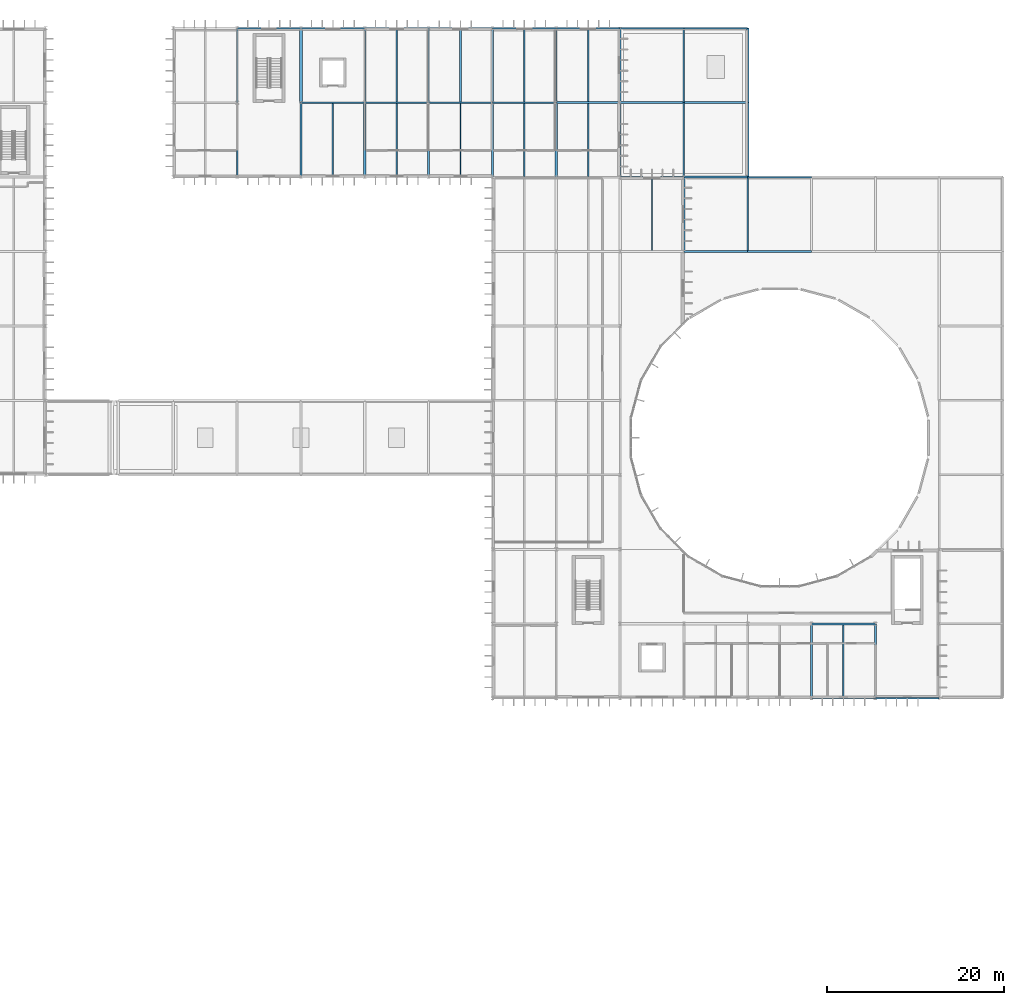
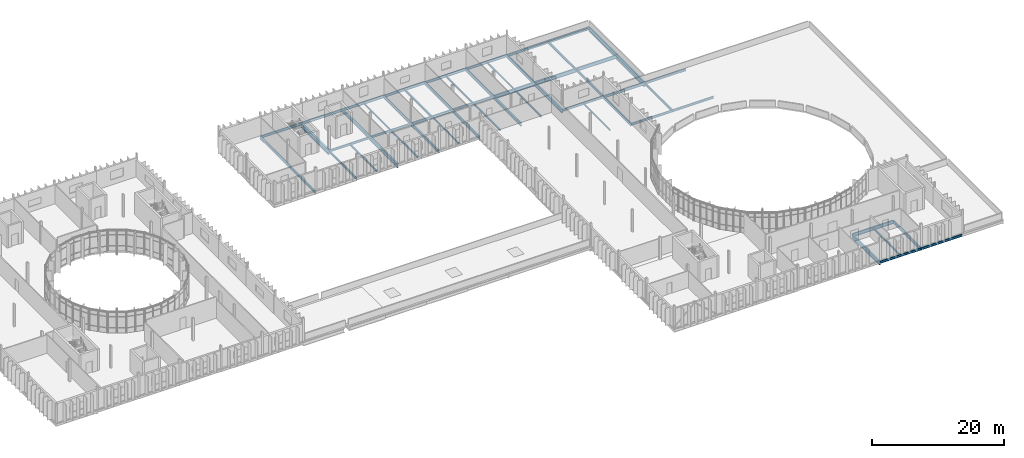
# One storey, part 28 of 61: 56 beams.
"""IFC4 building model written with IfcOpenShell, lengths in metres."""

from ifc_helpers import new_model, si_unit, direction, frame, origin, origin_2d, place, context, subcontext, project, spatial, i_section, extrude, material, material_profile, profile_set, type_object, element, save


model = new_model("IFC4")

# Units and contexts
model_context = context("Model", 3, precision=1e-05, world=origin(), true_north=direction((0.0, 1.0)))
body_context = subcontext(model_context, "Body", "Model", "MODEL_VIEW")
ifc_project = project(units=[si_unit("LENGTHUNIT", "METRE"), si_unit("AREAUNIT", "SQUARE_METRE"), si_unit("VOLUMEUNIT", "CUBIC_METRE"), si_unit("PLANEANGLEUNIT", "RADIAN"), si_unit("MASSUNIT", "GRAM", prefix="KILO")], contexts=[model_context])

# Site, building, storey
site_placement = place(None, origin())
site = spatial("IfcSite", under=ifc_project, at=site_placement, CompositionType="ELEMENT")
building_placement = place(site_placement, origin())
building = spatial("IfcBuilding", under=site, at=building_placement, Name="Qelthora Terrace Specialist Clinic", CompositionType="ELEMENT")
storey_placement = place(building_placement, frame((0.0, 0.0, 13.199951171875)))
storey = spatial("IfcBuildingStorey", under=building, at=storey_placement, Name="L03", CompositionType="ELEMENT", Elevation=13.199951171875)

# Beams
ifc_material = material(Name="Steel S355", Category="steel")
ifc_material_profile_1 = material_profile(ifc_material, i_section(OverallWidth=0.178955078125, OverallDepth=0.409912109375, WebThickness=0.0087890625, FlangeThickness=0.014404296875, FilletRadius=0.011962890625, at=origin_2d()), Name="W410X67")
ifc_profile_set_1 = profile_set([ifc_material_profile_1], Name="Steel S355")
beam_type_1 = type_object("IfcBeamType", Name="BM-W410X67", PredefinedType="BEAM", material=ifc_profile_set_1)
beam_1_placement = place(storey_placement, frame((136.800048828125, 33.60009765625, -0.454833984375), z_axis=(1.0, 0.0, 0.0), x_axis=(0.0, 1.0, 0.0)))
element("IfcBeam", 1, at=beam_1_placement, inside=storey, type_object=beam_type_1, Name="Girder BMX-L03-0922", PredefinedType="BEAM", context=body_context, shape_type="SweptSolid", body=[
    extrude(i_section(OverallWidth=0.178955078125, OverallDepth=0.409912109375, WebThickness=0.0087890625, FlangeThickness=0.014404296875, FilletRadius=0.011962890625, at=origin_2d()), origin(), (0.0, 0.0, 1.0), 7.199951171875),
])
beam_2_placement = place(storey_placement, frame((122.39990234375, 84.0, -0.454833984375), z_axis=(1.0, 0.0, 0.0), x_axis=(0.0, 1.0, 0.0)))
element("IfcBeam", 2, at=beam_2_placement, inside=storey, type_object=beam_type_1, Name="Girder BMX-L03-0978", PredefinedType="BEAM", context=body_context, shape_type="SweptSolid", body=[
    extrude(i_section(OverallWidth=0.178955078125, OverallDepth=0.409912109375, WebThickness=0.0087890625, FlangeThickness=0.014404296875, FilletRadius=0.011962890625, at=origin_2d()), origin(), (0.0, 0.0, 1.0), 7.2001953125),
])
beam_3_placement = place(storey_placement, frame((108.0, 92.39990234375, -0.454833984375), z_axis=(1.0, 0.0, 0.0), x_axis=(0.0, 1.0, 0.0)))
element("IfcBeam", 3, at=beam_3_placement, inside=storey, type_object=beam_type_1, Name="Girder BMX-L03-0992", PredefinedType="BEAM", context=body_context, shape_type="SweptSolid", body=[
    extrude(i_section(OverallWidth=0.178955078125, OverallDepth=0.409912109375, WebThickness=0.0087890625, FlangeThickness=0.014404296875, FilletRadius=0.011962890625, at=origin_2d()), origin(), (0.0, 0.0, 1.0), 7.199951171875),
])
beam_4_placement = place(storey_placement, frame((122.39990234375, 92.39990234375, -0.454833984375), z_axis=(1.0, 0.0, 0.0), x_axis=(0.0, 1.0, 0.0)))
element("IfcBeam", 4, at=beam_4_placement, inside=storey, type_object=beam_type_1, Name="Girder BMX-L03-0994", PredefinedType="BEAM", context=body_context, shape_type="SweptSolid", body=[
    extrude(i_section(OverallWidth=0.178955078125, OverallDepth=0.409912109375, WebThickness=0.0087890625, FlangeThickness=0.014404296875, FilletRadius=0.011962890625, at=origin_2d()), origin(), (0.0, 0.0, 1.0), 7.2001953125),
])
for number, where, z_axis, x_axis, name in (
    (5, (79.199951171875, 100.800048828125, -0.454833984375), (1.0, 0.0, 0.0), (0.0, 1.0, 0.0), "Girder BMX-L03-1006"),
    (6, (93.60009765625, 100.800048828125, -0.454833984375), (1.0, 0.0, 0.0), (0.0, 1.0, 0.0), "Girder BMX-L03-1008"),
):
    element("IfcBeam", number, at=place(storey_placement, frame(where, z_axis=z_axis, x_axis=x_axis)), inside=storey, type_object=beam_type_1, Name=name, PredefinedType="BEAM", context=body_context, shape_type="SweptSolid", body=[
        extrude(i_section(OverallWidth=0.178955078125, OverallDepth=0.409912109375, WebThickness=0.0087890625, FlangeThickness=0.014404296875, FilletRadius=0.011962890625, at=origin_2d()), origin(), (0.0, 0.0, 1.0), 7.199951171875),
    ])
beam_5_placement = place(storey_placement, frame((72.0, 92.39990234375, -0.454833984375), z_axis=(0.0, 1.0, 0.0), x_axis=(-1.0, 0.0, 0.0)))
element("IfcBeam", 7, at=beam_5_placement, inside=storey, type_object=beam_type_1, Name="Girder BMY-L03-1070", PredefinedType="BEAM", context=body_context, shape_type="SweptSolid", body=[
    extrude(i_section(OverallWidth=0.178955078125, OverallDepth=0.409912109375, WebThickness=0.0087890625, FlangeThickness=0.014404296875, FilletRadius=0.011962890625, at=origin_2d()), origin(), (0.0, 0.0, 1.0), 8.400146484375),
])
beam_6_placement = place(storey_placement, frame((122.39990234375, 84.0, -0.454833984375), z_axis=(0.0, 1.0, 0.0), x_axis=(-1.0, 0.0, 0.0)))
element("IfcBeam", 8, at=beam_6_placement, inside=storey, type_object=beam_type_1, Name="Girder BMY-L03-1110", PredefinedType="BEAM", context=body_context, shape_type="SweptSolid", body=[
    extrude(i_section(OverallWidth=0.178955078125, OverallDepth=0.409912109375, WebThickness=0.0087890625, FlangeThickness=0.014404296875, FilletRadius=0.011962890625, at=origin_2d()), origin(), (0.0, 0.0, 1.0), 8.39990234375),
])
ifc_material_profile_2 = material_profile(ifc_material, i_section(OverallWidth=0.179931640625, OverallDepth=0.4130859375, WebThickness=0.009765625, FlangeThickness=0.01611328125, FilletRadius=0.011962890625, at=origin_2d()), Name="W410X75")
ifc_profile_set_2 = profile_set([ifc_material_profile_2], Name="Steel S355")
beam_type_2 = type_object("IfcBeamType", Name="BM-W410X75", PredefinedType="BEAM", material=ifc_profile_set_2)
for number, where, z_axis, x_axis, name in (
    (9, (129.60009765625, 33.60009765625, -0.45654296875), (1.0, 0.0, 0.0), (0.0, 1.0, 0.0), "Girder BMX-L03-0921"),
    (10, (115.199951171875, 84.0, -0.45654296875), (1.0, 0.0, 0.0), (0.0, 1.0, 0.0), "Girder BMX-L03-0977"),
    (11, (72.0, 100.800048828125, -0.45654296875), (1.0, 0.0, 0.0), (0.0, 1.0, 0.0), "Girder BMX-L03-1005"),
):
    element("IfcBeam", number, at=place(storey_placement, frame(where, z_axis=z_axis, x_axis=x_axis)), inside=storey, type_object=beam_type_2, Name=name, PredefinedType="BEAM", context=body_context, shape_type="SweptSolid", body=[
        extrude(i_section(OverallWidth=0.179931640625, OverallDepth=0.4130859375, WebThickness=0.009765625, FlangeThickness=0.01611328125, FilletRadius=0.011962890625, at=origin_2d()), origin(), (0.0, 0.0, 1.0), 7.199951171875),
    ])
ifc_material_profile_3 = material_profile(ifc_material, i_section(OverallWidth=0.19091796875, OverallDepth=0.4599609375, WebThickness=0.010009765625, FlangeThickness=0.01611328125, FilletRadius=0.012939453125, at=origin_2d()), Name="W460X82")
ifc_profile_set_3 = profile_set([ifc_material_profile_3], Name="Steel S355")
beam_type_3 = type_object("IfcBeamType", Name="BM-W460X82", PredefinedType="BEAM", material=ifc_profile_set_3)
beam_7_placement = place(storey_placement, frame((115.199951171875, 92.39990234375, -0.47998046875), z_axis=(1.0, 0.0, 0.0), x_axis=(0.0, 1.0, 0.0)))
element("IfcBeam", 12, at=beam_7_placement, inside=storey, type_object=beam_type_3, Name="Girder BMX-L03-0993", PredefinedType="BEAM", context=body_context, shape_type="SweptSolid", body=[
    extrude(i_section(OverallWidth=0.19091796875, OverallDepth=0.4599609375, WebThickness=0.010009765625, FlangeThickness=0.01611328125, FilletRadius=0.012939453125, at=origin_2d()), origin(), (0.0, 0.0, 1.0), 7.199951171875),
])
beam_8_placement = place(storey_placement, frame((86.39990234375, 100.800048828125, -0.47998046875), z_axis=(1.0, 0.0, 0.0), x_axis=(0.0, 1.0, 0.0)))
element("IfcBeam", 13, at=beam_8_placement, inside=storey, type_object=beam_type_3, Name="Girder BMX-L03-1007", PredefinedType="BEAM", context=body_context, shape_type="SweptSolid", body=[
    extrude(i_section(OverallWidth=0.19091796875, OverallDepth=0.4599609375, WebThickness=0.010009765625, FlangeThickness=0.01611328125, FilletRadius=0.012939453125, at=origin_2d()), origin(), (0.0, 0.0, 1.0), 7.2001953125),
])
for number, where, z_axis, x_axis, name in (
    (14, (64.800048828125, 100.800048828125, -0.47998046875), (0.0, 1.0, 0.0), (-1.0, 0.0, 0.0), "Girder BMY-L03-1068"),
    (15, (115.199951171875, 100.800048828125, -0.47998046875), (0.0, 1.0, 0.0), (-1.0, 0.0, 0.0), "Girder BMY-L03-1108"),
):
    element("IfcBeam", number, at=place(storey_placement, frame(where, z_axis=z_axis, x_axis=x_axis)), inside=storey, type_object=beam_type_3, Name=name, PredefinedType="BEAM", context=body_context, shape_type="SweptSolid", body=[
        extrude(i_section(OverallWidth=0.19091796875, OverallDepth=0.4599609375, WebThickness=0.010009765625, FlangeThickness=0.01611328125, FilletRadius=0.012939453125, at=origin_2d()), origin(), (0.0, 0.0, 1.0), 8.39990234375),
    ])
ifc_material_profile_4 = material_profile(ifc_material, i_section(OverallWidth=0.193115234375, OverallDepth=0.466064453125, WebThickness=0.011474609375, FlangeThickness=0.01904296875, FilletRadius=0.012939453125, at=origin_2d()), Name="W460X97")
ifc_profile_set_4 = profile_set([ifc_material_profile_4], Name="Steel S355")
beam_type_4 = type_object("IfcBeamType", Name="BM-W460X97", PredefinedType="BEAM", material=ifc_profile_set_4)
beam_9_placement = place(storey_placement, frame((64.800048828125, 92.39990234375, -0.48291015625), z_axis=(0.0, 1.0, 0.0), x_axis=(-1.0, 0.0, 0.0)))
element("IfcBeam", 16, at=beam_9_placement, inside=storey, type_object=beam_type_4, Name="Girder BMY-L03-1067", PredefinedType="BEAM", context=body_context, shape_type="SweptSolid", body=[
    extrude(i_section(OverallWidth=0.193115234375, OverallDepth=0.466064453125, WebThickness=0.011474609375, FlangeThickness=0.01904296875, FilletRadius=0.012939453125, at=origin_2d()), origin(), (0.0, 0.0, 1.0), 8.400146484375),
])
beam_10_placement = place(storey_placement, frame((86.39990234375, 100.800048828125, -0.48291015625), z_axis=(0.0, 1.0, 0.0), x_axis=(-1.0, 0.0, 0.0)))
element("IfcBeam", 17, at=beam_10_placement, inside=storey, type_object=beam_type_4, Name="Girder BMY-L03-1077", PredefinedType="BEAM", context=body_context, shape_type="SweptSolid", body=[
    extrude(i_section(OverallWidth=0.193115234375, OverallDepth=0.466064453125, WebThickness=0.011474609375, FlangeThickness=0.01904296875, FilletRadius=0.012939453125, at=origin_2d()), origin(), (0.0, 0.0, 1.0), 8.39990234375),
])
beam_11_placement = place(storey_placement, frame((115.199951171875, 92.39990234375, -0.48291015625), z_axis=(0.0, 1.0, 0.0), x_axis=(-1.0, 0.0, 0.0)))
element("IfcBeam", 18, at=beam_11_placement, inside=storey, type_object=beam_type_4, Name="Girder BMY-L03-1107", PredefinedType="BEAM", context=body_context, shape_type="SweptSolid", body=[
    extrude(i_section(OverallWidth=0.193115234375, OverallDepth=0.466064453125, WebThickness=0.011474609375, FlangeThickness=0.01904296875, FilletRadius=0.012939453125, at=origin_2d()), origin(), (0.0, 0.0, 1.0), 8.400146484375),
])
ifc_material_profile_5 = material_profile(ifc_material, i_section(OverallWidth=0.2099609375, OverallDepth=0.537109375, WebThickness=0.010986328125, FlangeThickness=0.017333984375, FilletRadius=0.013916015625, at=origin_2d()), Name="W530X101")
ifc_profile_set_5 = profile_set([ifc_material_profile_5], Name="Steel S355")
beam_type_5 = type_object("IfcBeamType", Name="BM-W530X101", PredefinedType="BEAM", material=ifc_profile_set_5)
beam_12_placement = place(storey_placement, frame((86.39990234375, 92.39990234375, -0.5185546875), z_axis=(0.0, 1.0, 0.0), x_axis=(-1.0, 0.0, 0.0)))
element("IfcBeam", 19, at=beam_12_placement, inside=storey, type_object=beam_type_5, Name="Girder BMY-L03-1076", PredefinedType="BEAM", context=body_context, shape_type="SweptSolid", body=[
    extrude(i_section(OverallWidth=0.2099609375, OverallDepth=0.537109375, WebThickness=0.010986328125, FlangeThickness=0.017333984375, FilletRadius=0.013916015625, at=origin_2d()), origin(), (0.0, 0.0, 1.0), 8.400146484375),
])
for number, where, z_axis, x_axis, name in (
    (20, (93.60009765625, 100.800048828125, -0.5185546875), (0.0, 1.0, 0.0), (-1.0, 0.0, 0.0), "Girder BMY-L03-1086"),
    (21, (115.199951171875, 84.0, -0.5185546875), (0.0, 1.0, 0.0), (-1.0, 0.0, 0.0), "Girder BMY-L03-1106"),
):
    element("IfcBeam", number, at=place(storey_placement, frame(where, z_axis=z_axis, x_axis=x_axis)), inside=storey, type_object=beam_type_5, Name=name, PredefinedType="BEAM", context=body_context, shape_type="SweptSolid", body=[
        extrude(i_section(OverallWidth=0.2099609375, OverallDepth=0.537109375, WebThickness=0.010986328125, FlangeThickness=0.017333984375, FilletRadius=0.013916015625, at=origin_2d()), origin(), (0.0, 0.0, 1.0), 8.39990234375),
    ])
ifc_material_profile_6 = material_profile(ifc_material, i_section(OverallWidth=0.2119140625, OverallDepth=0.5439453125, WebThickness=0.01318359375, FlangeThickness=0.021240234375, FilletRadius=0.013916015625, at=origin_2d()), Name="W530X123")
ifc_profile_set_6 = profile_set([ifc_material_profile_6], Name="Steel S355")
beam_type_6 = type_object("IfcBeamType", Name="BM-W530X123", PredefinedType="BEAM", material=ifc_profile_set_6)
beam_13_placement = place(storey_placement, frame((93.60009765625, 92.39990234375, -0.52197265625), z_axis=(0.0, 1.0, 0.0), x_axis=(-1.0, 0.0, 0.0)))
element("IfcBeam", 22, at=beam_13_placement, inside=storey, type_object=beam_type_6, Name="Girder BMY-L03-1085", PredefinedType="BEAM", context=body_context, shape_type="SweptSolid", body=[
    extrude(i_section(OverallWidth=0.2119140625, OverallDepth=0.5439453125, WebThickness=0.01318359375, FlangeThickness=0.021240234375, FilletRadius=0.013916015625, at=origin_2d()), origin(), (0.0, 0.0, 1.0), 8.400146484375),
])
for number, where, z_axis, x_axis, name in (
    (23, (100.800048828125, 100.800048828125, -0.52197265625), (0.0, 1.0, 0.0), (-1.0, 0.0, 0.0), "Girder BMY-L03-1095"),
    (24, (136.800048828125, 33.60009765625, -0.52197265625), (0.0, 1.0, 0.0), (-1.0, 0.0, 0.0), "Girder BMY-L03-1115"),
):
    element("IfcBeam", number, at=place(storey_placement, frame(where, z_axis=z_axis, x_axis=x_axis)), inside=storey, type_object=beam_type_6, Name=name, PredefinedType="BEAM", context=body_context, shape_type="SweptSolid", body=[
        extrude(i_section(OverallWidth=0.2119140625, OverallDepth=0.5439453125, WebThickness=0.01318359375, FlangeThickness=0.021240234375, FilletRadius=0.013916015625, at=origin_2d()), origin(), (0.0, 0.0, 1.0), 8.39990234375),
    ])
ifc_material_profile_7 = material_profile(ifc_material, i_section(OverallWidth=0.22900390625, OverallDepth=0.612060546875, WebThickness=0.011962890625, FlangeThickness=0.01953125, FilletRadius=0.01611328125, at=origin_2d()), Name="W610X125")
ifc_profile_set_7 = profile_set([ifc_material_profile_7], Name="Steel S355")
beam_type_7 = type_object("IfcBeamType", Name="BM-W610X125", PredefinedType="BEAM", material=ifc_profile_set_7)
beam_14_placement = place(storey_placement, frame((129.60009765625, 42.0, -0.555908203125), z_axis=(1.0, 0.0, 0.0), x_axis=(0.0, 1.0, 0.0)))
element("IfcBeam", 25, at=beam_14_placement, inside=storey, type_object=beam_type_7, Name="Girder BMX-L03-0928", PredefinedType="BEAM", context=body_context, shape_type="SweptSolid", body=[
    extrude(i_section(OverallWidth=0.22900390625, OverallDepth=0.612060546875, WebThickness=0.011962890625, FlangeThickness=0.01953125, FilletRadius=0.01611328125, at=origin_2d()), origin(), (0.0, 0.0, 1.0), 7.199951171875),
])
ifc_material_profile_8 = material_profile(ifc_material, i_section(OverallWidth=0.22998046875, OverallDepth=0.616943359375, WebThickness=0.01318359375, FlangeThickness=0.022216796875, FilletRadius=0.01611328125, at=origin_2d()), Name="W610X140")
ifc_profile_set_8 = profile_set([ifc_material_profile_8], Name="Steel S355")
beam_type_8 = type_object("IfcBeamType", Name="BM-W610X140", PredefinedType="BEAM", material=ifc_profile_set_8)
beam_15_placement = place(storey_placement, frame((115.199951171875, 100.800048828125, -0.558349609375), z_axis=(1.0, 0.0, 0.0), x_axis=(0.0, 1.0, 0.0)))
element("IfcBeam", 26, at=beam_15_placement, inside=storey, type_object=beam_type_8, Name="Girder BMX-L03-1011", PredefinedType="BEAM", context=body_context, shape_type="SweptSolid", body=[
    extrude(i_section(OverallWidth=0.22998046875, OverallDepth=0.616943359375, WebThickness=0.01318359375, FlangeThickness=0.022216796875, FilletRadius=0.01611328125, at=origin_2d()), origin(), (0.0, 0.0, 1.0), 7.199951171875),
])
beam_16_placement = place(storey_placement, frame((79.199951171875, 100.800048828125, -0.558349609375), z_axis=(0.0, 1.0, 0.0), x_axis=(-1.0, 0.0, 0.0)))
element("IfcBeam", 27, at=beam_16_placement, inside=storey, type_object=beam_type_8, Name="Girder BMY-L03-1074", PredefinedType="BEAM", context=body_context, shape_type="SweptSolid", body=[
    extrude(i_section(OverallWidth=0.22998046875, OverallDepth=0.616943359375, WebThickness=0.01318359375, FlangeThickness=0.022216796875, FilletRadius=0.01611328125, at=origin_2d()), origin(), (0.0, 0.0, 1.0), 8.39990234375),
])
beam_17_placement = place(storey_placement, frame((100.800048828125, 92.39990234375, -0.558349609375), z_axis=(0.0, 1.0, 0.0), x_axis=(-1.0, 0.0, 0.0)))
element("IfcBeam", 28, at=beam_17_placement, inside=storey, type_object=beam_type_8, Name="Girder BMY-L03-1094", PredefinedType="BEAM", context=body_context, shape_type="SweptSolid", body=[
    extrude(i_section(OverallWidth=0.22998046875, OverallDepth=0.616943359375, WebThickness=0.01318359375, FlangeThickness=0.022216796875, FilletRadius=0.01611328125, at=origin_2d()), origin(), (0.0, 0.0, 1.0), 8.400146484375),
])
beam_18_placement = place(storey_placement, frame((108.0, 100.800048828125, -0.558349609375), z_axis=(0.0, 1.0, 0.0), x_axis=(-1.0, 0.0, 0.0)))
element("IfcBeam", 29, at=beam_18_placement, inside=storey, type_object=beam_type_8, Name="Girder BMY-L03-1104", PredefinedType="BEAM", context=body_context, shape_type="SweptSolid", body=[
    extrude(i_section(OverallWidth=0.22998046875, OverallDepth=0.616943359375, WebThickness=0.01318359375, FlangeThickness=0.022216796875, FilletRadius=0.01611328125, at=origin_2d()), origin(), (0.0, 0.0, 1.0), 8.39990234375),
])
ifc_material_profile_9 = material_profile(ifc_material, i_section(OverallWidth=0.25390625, OverallDepth=0.68798828125, WebThickness=0.01318359375, FlangeThickness=0.02099609375, FilletRadius=0.01806640625, at=origin_2d()), Name="W690X152")
ifc_profile_set_9 = profile_set([ifc_material_profile_9], Name="Steel S355")
beam_type_9 = type_object("IfcBeamType", Name="BM-W690X152", PredefinedType="BEAM", material=ifc_profile_set_9)
beam_19_placement = place(storey_placement, frame((108.0, 100.800048828125, -0.593994140625), z_axis=(1.0, 0.0, 0.0), x_axis=(0.0, 1.0, 0.0)))
element("IfcBeam", 30, at=beam_19_placement, inside=storey, type_object=beam_type_9, Name="Girder BMX-L03-1010", PredefinedType="BEAM", context=body_context, shape_type="SweptSolid", body=[
    extrude(i_section(OverallWidth=0.25390625, OverallDepth=0.68798828125, WebThickness=0.01318359375, FlangeThickness=0.02099609375, FilletRadius=0.01806640625, at=origin_2d()), origin(), (0.0, 0.0, 1.0), 7.199951171875),
])
ifc_material_profile_10 = material_profile(ifc_material, i_section(OverallWidth=0.256103515625, OverallDepth=0.693115234375, WebThickness=0.014404296875, FlangeThickness=0.023681640625, FilletRadius=0.01806640625, at=origin_2d()), Name="W690X170")
ifc_profile_set_10 = profile_set([ifc_material_profile_10], Name="Steel S355")
beam_type_10 = type_object("IfcBeamType", Name="BM-W690X170", PredefinedType="BEAM", material=ifc_profile_set_10)
beam_20_placement = place(storey_placement, frame((100.800048828125, 100.800048828125, -0.596435546875), z_axis=(1.0, 0.0, 0.0), x_axis=(0.0, 1.0, 0.0)))
element("IfcBeam", 31, at=beam_20_placement, inside=storey, type_object=beam_type_10, Name="Girder BMX-L03-1009", PredefinedType="BEAM", context=body_context, shape_type="SweptSolid", body=[
    extrude(i_section(OverallWidth=0.256103515625, OverallDepth=0.693115234375, WebThickness=0.014404296875, FlangeThickness=0.023681640625, FilletRadius=0.01806640625, at=origin_2d()), origin(), (0.0, 0.0, 1.0), 7.199951171875),
])
for number, where, z_axis, x_axis, name in (
    (32, (79.199951171875, 92.39990234375, -0.596435546875), (0.0, 1.0, 0.0), (-1.0, 0.0, 0.0), "Girder BMY-L03-1073"),
    (33, (108.0, 92.39990234375, -0.596435546875), (0.0, 1.0, 0.0), (-1.0, 0.0, 0.0), "Girder BMY-L03-1103"),
):
    element("IfcBeam", number, at=place(storey_placement, frame(where, z_axis=z_axis, x_axis=x_axis)), inside=storey, type_object=beam_type_10, Name=name, PredefinedType="BEAM", context=body_context, shape_type="SweptSolid", body=[
        extrude(i_section(OverallWidth=0.256103515625, OverallDepth=0.693115234375, WebThickness=0.014404296875, FlangeThickness=0.023681640625, FilletRadius=0.01806640625, at=origin_2d()), origin(), (0.0, 0.0, 1.0), 8.400146484375),
    ])
beam_21_placement = place(storey_placement, frame((129.60009765625, 33.60009765625, -0.596435546875), z_axis=(0.0, 1.0, 0.0), x_axis=(-1.0, 0.0, 0.0)))
element("IfcBeam", 34, at=beam_21_placement, inside=storey, type_object=beam_type_10, Name="Girder BMY-L03-1113", PredefinedType="BEAM", context=body_context, shape_type="SweptSolid", body=[
    extrude(i_section(OverallWidth=0.256103515625, OverallDepth=0.693115234375, WebThickness=0.014404296875, FlangeThickness=0.023681640625, FilletRadius=0.01806640625, at=origin_2d()), origin(), (0.0, 0.0, 1.0), 8.39990234375),
])
ifc_material_profile_11 = material_profile(ifc_material, i_section(OverallWidth=0.26806640625, OverallDepth=0.77001953125, WebThickness=0.015625, FlangeThickness=0.025390625, FilletRadius=0.01904296875, at=origin_2d()), Name="W760X196")
ifc_profile_set_11 = profile_set([ifc_material_profile_11], Name="Steel S355")
beam_type_11 = type_object("IfcBeamType", Name="BM-W760X196", PredefinedType="BEAM", material=ifc_profile_set_11)
beam_22_placement = place(storey_placement, frame((122.39990234375, 100.800048828125, -0.635009765625), z_axis=(0.0, 1.0, 0.0), x_axis=(-1.0, 0.0, 0.0)))
element("IfcBeam", 35, at=beam_22_placement, inside=storey, type_object=beam_type_11, Name="Girder BMY-L03-1112", PredefinedType="BEAM", context=body_context, shape_type="SweptSolid", body=[
    extrude(i_section(OverallWidth=0.26806640625, OverallDepth=0.77001953125, WebThickness=0.015625, FlangeThickness=0.025390625, FilletRadius=0.01904296875, at=origin_2d()), origin(), (0.0, 0.0, 1.0), 8.39990234375),
])
ifc_material_profile_12 = material_profile(ifc_material, i_section(OverallWidth=0.2939453125, OverallDepth=0.85107421875, WebThickness=0.01611328125, FlangeThickness=0.02685546875, FilletRadius=0.02001953125, at=origin_2d()), Name="W840X226")
ifc_profile_set_12 = profile_set([ifc_material_profile_12], Name="Steel S355")
beam_type_12 = type_object("IfcBeamType", Name="BM-W840X226", PredefinedType="BEAM", material=ifc_profile_set_12)
beam_23_placement = place(storey_placement, frame((72.0, 100.800048828125, -0.675537109375), z_axis=(0.0, 1.0, 0.0), x_axis=(-1.0, 0.0, 0.0)))
element("IfcBeam", 36, at=beam_23_placement, inside=storey, type_object=beam_type_12, Name="Girder BMY-L03-1071", PredefinedType="BEAM", context=body_context, shape_type="SweptSolid", body=[
    extrude(i_section(OverallWidth=0.2939453125, OverallDepth=0.85107421875, WebThickness=0.01611328125, FlangeThickness=0.02685546875, FilletRadius=0.02001953125, at=origin_2d()), origin(), (0.0, 0.0, 1.0), 8.39990234375),
])
beam_24_placement = place(storey_placement, frame((122.39990234375, 92.39990234375, -0.675537109375), z_axis=(0.0, 1.0, 0.0), x_axis=(-1.0, 0.0, 0.0)))
element("IfcBeam", 37, at=beam_24_placement, inside=storey, type_object=beam_type_12, Name="Girder BMY-L03-1111", PredefinedType="BEAM", context=body_context, shape_type="SweptSolid", body=[
    extrude(i_section(OverallWidth=0.2939453125, OverallDepth=0.85107421875, WebThickness=0.01611328125, FlangeThickness=0.02685546875, FilletRadius=0.02001953125, at=origin_2d()), origin(), (0.0, 0.0, 1.0), 8.400146484375),
])
ifc_material_profile_13 = material_profile(ifc_material, i_section(OverallWidth=0.14599609375, OverallDepth=0.258056640625, WebThickness=0.006103515625, FlangeThickness=0.009033203125, FilletRadius=0.009033203125, at=origin_2d()), Name="W250X33")
ifc_profile_set_13 = profile_set([ifc_material_profile_13], Name="Steel S355")
beam_type_13 = type_object("IfcBeamType", Name="JST-W250X33", PredefinedType="JOIST", material=ifc_profile_set_13)
beam_25_placement = place(storey_placement, frame((90.0, 92.489990234375, -0.37890625), z_axis=(0.0, 1.0, 0.0), x_axis=(-1.0, 0.0, 0.0)))
element("IfcBeam", 38, at=beam_25_placement, inside=storey, type_object=beam_type_13, Name="Composite floor joist JST-L03-0240", PredefinedType="JOIST", context=body_context, shape_type="SweptSolid", body=[
    extrude(i_section(OverallWidth=0.14599609375, OverallDepth=0.258056640625, WebThickness=0.006103515625, FlangeThickness=0.009033203125, FilletRadius=0.009033203125, at=origin_2d()), origin(), (0.0, 0.0, 1.0), 8.214599609375),
])
beam_26_placement = place(storey_placement, frame((111.60009765625, 84.089599609375, -0.37890625), z_axis=(0.0, 1.0, 0.0), x_axis=(-1.0, 0.0, 0.0)))
element("IfcBeam", 39, at=beam_26_placement, inside=storey, type_object=beam_type_13, Name="Composite floor joist JST-L03-0258", PredefinedType="JOIST", context=body_context, shape_type="SweptSolid", body=[
    extrude(i_section(OverallWidth=0.14599609375, OverallDepth=0.258056640625, WebThickness=0.006103515625, FlangeThickness=0.009033203125, FilletRadius=0.009033203125, at=origin_2d()), origin(), (0.0, 0.0, 1.0), 8.220947265625),
])
ifc_material_profile_14 = material_profile(ifc_material, i_section(OverallWidth=0.14697265625, OverallDepth=0.261962890625, WebThickness=0.006591796875, FlangeThickness=0.01123046875, FilletRadius=0.009033203125, at=origin_2d()), Name="W250X39")
ifc_profile_set_14 = profile_set([ifc_material_profile_14], Name="Steel S355")
beam_type_14 = type_object("IfcBeamType", Name="JST-W250X39", PredefinedType="JOIST", material=ifc_profile_set_14)
beam_27_placement = place(storey_placement, frame((82.800048828125, 100.889404296875, -0.380859375), z_axis=(0.0, 1.0, 0.0), x_axis=(-1.0, 0.0, 0.0)))
element("IfcBeam", 40, at=beam_27_placement, inside=storey, type_object=beam_type_14, Name="Composite floor joist JST-L03-0239", PredefinedType="JOIST", context=body_context, shape_type="SweptSolid", body=[
    extrude(i_section(OverallWidth=0.14697265625, OverallDepth=0.261962890625, WebThickness=0.006591796875, FlangeThickness=0.01123046875, FilletRadius=0.009033203125, at=origin_2d()), origin(), (0.0, 0.0, 1.0), 8.215087890625),
])
beam_28_placement = place(storey_placement, frame((104.39990234375, 100.927978515625, -0.380859375), z_axis=(0.0, 1.0, 0.0), x_axis=(-1.0, 0.0, 0.0)))
element("IfcBeam", 41, at=beam_28_placement, inside=storey, type_object=beam_type_14, Name="Composite floor joist JST-L03-0257", PredefinedType="JOIST", context=body_context, shape_type="SweptSolid", body=[
    extrude(i_section(OverallWidth=0.14697265625, OverallDepth=0.261962890625, WebThickness=0.006591796875, FlangeThickness=0.01123046875, FilletRadius=0.009033203125, at=origin_2d()), origin(), (0.0, 0.0, 1.0), 8.176513671875),
])
ifc_material_profile_15 = material_profile(ifc_material, i_section(OverallWidth=0.166015625, OverallDepth=0.31298828125, WebThickness=0.006591796875, FlangeThickness=0.01123046875, FilletRadius=0.010009765625, at=origin_2d()), Name="W310X45")
ifc_profile_set_15 = profile_set([ifc_material_profile_15], Name="Steel S355")
beam_type_15 = type_object("IfcBeamType", Name="JST-W310X45", PredefinedType="JOIST", material=ifc_profile_set_15)
beam_29_placement = place(storey_placement, frame((82.800048828125, 92.49560546875, -0.406494140625), z_axis=(0.0, 1.0, 0.0), x_axis=(-1.0, 0.0, 0.0)))
element("IfcBeam", 42, at=beam_29_placement, inside=storey, type_object=beam_type_15, Name="Composite floor joist JST-L03-0238", PredefinedType="JOIST", context=body_context, shape_type="SweptSolid", body=[
    extrude(i_section(OverallWidth=0.166015625, OverallDepth=0.31298828125, WebThickness=0.006591796875, FlangeThickness=0.01123046875, FilletRadius=0.010009765625, at=origin_2d()), origin(), (0.0, 0.0, 1.0), 8.21484375),
])
beam_30_placement = place(storey_placement, frame((97.199951171875, 100.889404296875, -0.406494140625), z_axis=(0.0, 1.0, 0.0), x_axis=(-1.0, 0.0, 0.0)))
element("IfcBeam", 43, at=beam_30_placement, inside=storey, type_object=beam_type_15, Name="Composite floor joist JST-L03-0250", PredefinedType="JOIST", context=body_context, shape_type="SweptSolid", body=[
    extrude(i_section(OverallWidth=0.166015625, OverallDepth=0.31298828125, WebThickness=0.006591796875, FlangeThickness=0.01123046875, FilletRadius=0.010009765625, at=origin_2d()), origin(), (0.0, 0.0, 1.0), 8.215087890625),
])
beam_31_placement = place(storey_placement, frame((104.39990234375, 92.489990234375, -0.406494140625), z_axis=(0.0, 1.0, 0.0), x_axis=(-1.0, 0.0, 0.0)))
element("IfcBeam", 44, at=beam_31_placement, inside=storey, type_object=beam_type_15, Name="Composite floor joist JST-L03-0256", PredefinedType="JOIST", context=body_context, shape_type="SweptSolid", body=[
    extrude(i_section(OverallWidth=0.166015625, OverallDepth=0.31298828125, WebThickness=0.006591796875, FlangeThickness=0.01123046875, FilletRadius=0.010009765625, at=origin_2d()), origin(), (0.0, 0.0, 1.0), 8.18212890625),
])
ifc_material_profile_16 = material_profile(ifc_material, i_section(OverallWidth=0.1669921875, OverallDepth=0.31689453125, WebThickness=0.007568359375, FlangeThickness=0.01318359375, FilletRadius=0.010009765625, at=origin_2d()), Name="W310X52")
ifc_profile_set_16 = profile_set([ifc_material_profile_16], Name="Steel S355")
beam_type_16 = type_object("IfcBeamType", Name="JST-W310X52", PredefinedType="JOIST", material=ifc_profile_set_16)
beam_32_placement = place(storey_placement, frame((75.60009765625, 92.49658203125, -0.408447265625), z_axis=(0.0, 1.0, 0.0), x_axis=(-1.0, 0.0, 0.0)))
element("IfcBeam", 45, at=beam_32_placement, inside=storey, type_object=beam_type_16, Name="Composite floor joist JST-L03-0237", PredefinedType="JOIST", context=body_context, shape_type="SweptSolid", body=[
    extrude(i_section(OverallWidth=0.1669921875, OverallDepth=0.31689453125, WebThickness=0.007568359375, FlangeThickness=0.01318359375, FilletRadius=0.010009765625, at=origin_2d()), origin(), (0.0, 0.0, 1.0), 8.21337890625),
])
beam_33_placement = place(storey_placement, frame((97.199951171875, 92.489501953125, -0.408447265625), z_axis=(0.0, 1.0, 0.0), x_axis=(-1.0, 0.0, 0.0)))
element("IfcBeam", 46, at=beam_33_placement, inside=storey, type_object=beam_type_16, Name="Composite floor joist JST-L03-0249", PredefinedType="JOIST", context=body_context, shape_type="SweptSolid", body=[
    extrude(i_section(OverallWidth=0.1669921875, OverallDepth=0.31689453125, WebThickness=0.007568359375, FlangeThickness=0.01318359375, FilletRadius=0.010009765625, at=origin_2d()), origin(), (0.0, 0.0, 1.0), 8.220947265625),
])
beam_34_placement = place(storey_placement, frame((133.199951171875, 33.68994140625, -0.408447265625), z_axis=(0.0, 1.0, 0.0), x_axis=(-1.0, 0.0, 0.0)))
element("IfcBeam", 47, at=beam_34_placement, inside=storey, type_object=beam_type_16, Name="Composite floor joist JST-L03-0261", PredefinedType="JOIST", context=body_context, shape_type="SweptSolid", body=[
    extrude(i_section(OverallWidth=0.1669921875, OverallDepth=0.31689453125, WebThickness=0.007568359375, FlangeThickness=0.01318359375, FilletRadius=0.010009765625, at=origin_2d()), origin(), (0.0, 0.0, 1.0), 8.195556640625),
])
ifc_material_profile_17 = material_profile(ifc_material, i_section(OverallWidth=0.202880859375, OverallDepth=0.346923828125, WebThickness=0.0078125, FlangeThickness=0.013427734375, FilletRadius=0.010986328125, at=origin_2d()), Name="W360X64")
ifc_profile_set_17 = profile_set([ifc_material_profile_17], Name="Steel S355")
beam_type_17 = type_object("IfcBeamType", Name="JST-W360X64", PredefinedType="JOIST", material=ifc_profile_set_17)
beam_35_placement = place(storey_placement, frame((90.0, 100.8955078125, -0.42333984375), z_axis=(0.0, 1.0, 0.0), x_axis=(-1.0, 0.0, 0.0)))
element("IfcBeam", 48, at=beam_35_placement, inside=storey, type_object=beam_type_17, Name="Composite floor joist JST-L03-0241", PredefinedType="JOIST", context=body_context, shape_type="SweptSolid", body=[
    extrude(i_section(OverallWidth=0.202880859375, OverallDepth=0.346923828125, WebThickness=0.0078125, FlangeThickness=0.013427734375, FilletRadius=0.010986328125, at=origin_2d()), origin(), (0.0, 0.0, 1.0), 8.208984375),
])
ifc_material_profile_18 = material_profile(ifc_material, i_section(OverallWidth=0.19091796875, OverallDepth=0.4599609375, WebThickness=0.010009765625, FlangeThickness=0.01611328125, FilletRadius=0.012939453125, at=origin_2d()), Name="W460X82")
ifc_profile_set_18 = profile_set([ifc_material_profile_18], Name="Steel S355")
beam_type_18 = type_object("IfcBeamType", Name="SPD-W460X82", PredefinedType="SPANDREL", material=ifc_profile_set_18)
for number, where, z_axis, x_axis, name in (
    (49, (64.800048828125, 109.199951171875, -0.47998046875), (1.0, 0.0, 0.0), (0.0, 1.0, 0.0), "Girder BMX-L03-1019"),
    (50, (72.0, 109.199951171875, -0.47998046875), (1.0, 0.0, 0.0), (0.0, 1.0, 0.0), "Girder BMX-L03-1020"),
    (51, (79.199951171875, 109.199951171875, -0.47998046875), (1.0, 0.0, 0.0), (0.0, 1.0, 0.0), "Girder BMX-L03-1021"),
):
    element("IfcBeam", number, at=place(storey_placement, frame(where, z_axis=z_axis, x_axis=x_axis)), inside=storey, type_object=beam_type_18, Name=name, PredefinedType="SPANDREL", context=body_context, shape_type="SweptSolid", body=[
        extrude(i_section(OverallWidth=0.19091796875, OverallDepth=0.4599609375, WebThickness=0.010009765625, FlangeThickness=0.01611328125, FilletRadius=0.012939453125, at=origin_2d()), origin(), (0.0, 0.0, 1.0), 7.199951171875),
    ])
beam_36_placement = place(storey_placement, frame((86.39990234375, 109.199951171875, -0.47998046875), z_axis=(1.0, 0.0, 0.0), x_axis=(0.0, 1.0, 0.0)))
element("IfcBeam", 52, at=beam_36_placement, inside=storey, type_object=beam_type_18, Name="Girder BMX-L03-1022", PredefinedType="SPANDREL", context=body_context, shape_type="SweptSolid", body=[
    extrude(i_section(OverallWidth=0.19091796875, OverallDepth=0.4599609375, WebThickness=0.010009765625, FlangeThickness=0.01611328125, FilletRadius=0.012939453125, at=origin_2d()), origin(), (0.0, 0.0, 1.0), 7.2001953125),
])
for number, where, z_axis, x_axis, name in (
    (53, (93.60009765625, 109.199951171875, -0.47998046875), (1.0, 0.0, 0.0), (0.0, 1.0, 0.0), "Girder BMX-L03-1023"),
    (54, (100.800048828125, 109.199951171875, -0.47998046875), (1.0, 0.0, 0.0), (0.0, 1.0, 0.0), "Girder BMX-L03-1024"),
    (55, (108.0, 109.199951171875, -0.47998046875), (1.0, 0.0, 0.0), (0.0, 1.0, 0.0), "Girder BMX-L03-1025"),
    (56, (115.199951171875, 109.199951171875, -0.47998046875), (1.0, 0.0, 0.0), (0.0, 1.0, 0.0), "Girder BMX-L03-1026"),
):
    element("IfcBeam", number, at=place(storey_placement, frame(where, z_axis=z_axis, x_axis=x_axis)), inside=storey, type_object=beam_type_18, Name=name, PredefinedType="SPANDREL", context=body_context, shape_type="SweptSolid", body=[
        extrude(i_section(OverallWidth=0.19091796875, OverallDepth=0.4599609375, WebThickness=0.010009765625, FlangeThickness=0.01611328125, FilletRadius=0.012939453125, at=origin_2d()), origin(), (0.0, 0.0, 1.0), 7.199951171875),
    ])

save(model, "model.ifc")
